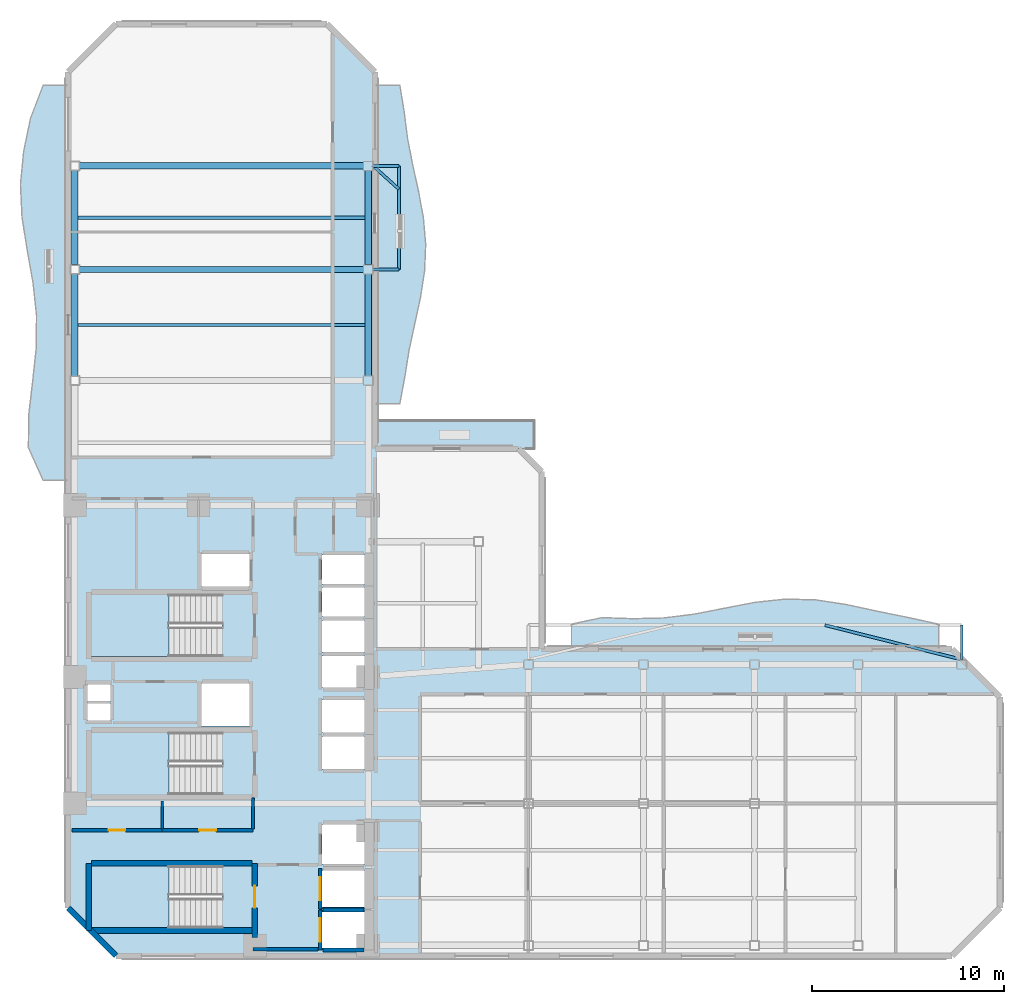
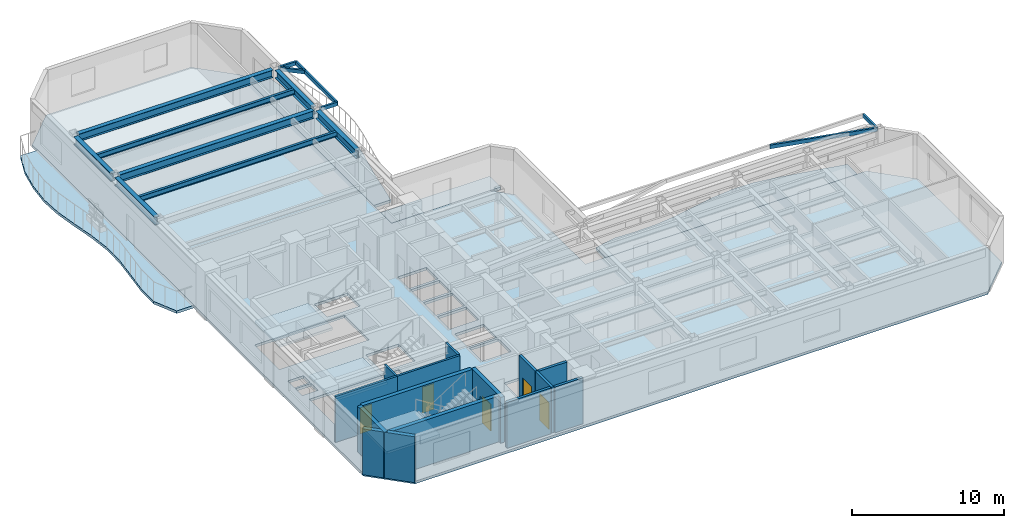
# One storey, part 2 of 12: 14 beams, 14 walls, 8 slabs, 5 doors, 5 openings, 3 elements without a shape of their own.
"""IFC4 building model written with IfcOpenShell, lengths in metres."""

from ifc_helpers import new_model, si_unit, direction, frame, frame_2d, origin, origin_2d, place, context, subcontext, project, spatial, polyline, rectangle, hollow_rectangle, i_section, outline, extrude, material, layer, layer_set, material_profile, profile_set, type_object, element, fill, aggregate, save


model = new_model("IFC4")

# Units and contexts
model_context = context("Model", 3, precision=1e-05, world=origin(), true_north=direction((0.0, 1.0)))
body_context = subcontext(model_context, "Body", "Model", "MODEL_VIEW")
ifc_project = project(units=[si_unit("LENGTHUNIT", "METRE"), si_unit("AREAUNIT", "SQUARE_METRE"), si_unit("VOLUMEUNIT", "CUBIC_METRE"), si_unit("PLANEANGLEUNIT", "RADIAN"), si_unit("MASSUNIT", "GRAM", prefix="KILO")], contexts=[model_context])

# Site, building, storey
site_placement = place(None, origin())
site = spatial("IfcSite", under=ifc_project, at=site_placement, CompositionType="ELEMENT")
building_placement = place(site_placement, origin())
building = spatial("IfcBuilding", under=site, at=building_placement, Name="Mawjaban Terraces University", CompositionType="ELEMENT")
storey_placement = place(building_placement, frame((0.0, 0.0, 134.60009765625)))
storey = spatial("IfcBuildingStorey", under=building, at=storey_placement, Name="L32", CompositionType="ELEMENT", Elevation=134.60009765625)

# Beams
ifc_material_1 = material(Name="Steel EN 10210-1 S355J2H", Category="steel")
ifc_material_profile_1 = material_profile(ifc_material_1, hollow_rectangle(XDim=0.14990234375, YDim=0.300048828125, WallThickness=0.012451171875, at=origin_2d()), Name="RHS300X150X12.5")
ifc_profile_set_1 = profile_set([ifc_material_profile_1], Name="Steel EN 10210-1 S355J2H")
beam_type_1 = type_object("IfcBeamType", Name="BalconyCantileverSpandrel_RHS", PredefinedType="SPANDREL", material=ifc_profile_set_1)
beam_1_placement = place(storey_placement, frame((68.60009765625, 15.449951171875, 3.539794921875), z_axis=(0.0, 1.0, 0.0), x_axis=(-1.0, 0.0, 0.0)))
element("IfcBeam", 1, at=beam_1_placement, inside=storey, type_object=beam_type_1, Name="L32 Exterior Outrigger BAL-L33-N.2", PredefinedType="SPANDREL", context=body_context, shape_type="SweptSolid", body=[
    extrude(hollow_rectangle(XDim=0.14990234375, YDim=0.300048828125, WallThickness=0.012451171875, at=origin_2d()), origin(), (0.0, 0.0, 1.0), 1.800048828125),
])
beam_2_placement = place(storey_placement, frame((68.60009765625, 15.449951171875, 3.539794921875), z_axis=(-0.96966082483, 0.244454259094, 0.0), x_axis=(-0.244454259094, -0.96966082483, 0.0)))
element("IfcBeam", 2, at=beam_2_placement, inside=storey, type_object=beam_type_1, Name="L32 Exterior Diagonal Strut BAL-L33-N.2", PredefinedType="SPANDREL", context=body_context, shape_type="SweptSolid", body=[
    extrude(hollow_rectangle(XDim=0.14990234375, YDim=0.300048828125, WallThickness=0.012451171875, at=origin_2d()), origin(), (0.0, 0.0, 1.0), 7.363525390625),
])
for number, where, z_axis, x_axis, name in (
    (3, (37.89990234375, 35.800048828125, 3.539794921875), (1.0, 0.0, 0.0), (0.0, 1.0, 0.0), "L32 Exterior Outrigger BAL-L33-E.1"),
    (4, (37.89990234375, 41.199951171875, 3.539794921875), (1.0, 0.0, 0.0), (0.0, 1.0, 0.0), "L32 Exterior Outrigger BAL-L33-E.2"),
):
    element("IfcBeam", number, at=place(storey_placement, frame(where, z_axis=z_axis, x_axis=x_axis)), inside=storey, type_object=beam_type_1, Name=name, PredefinedType="SPANDREL", context=body_context, shape_type="SweptSolid", body=[
        extrude(hollow_rectangle(XDim=0.14990234375, YDim=0.300048828125, WallThickness=0.012451171875, at=origin_2d()), origin(), (0.0, 0.0, 1.0), 1.35009765625),
    ])
beam_3_placement = place(storey_placement, frame((39.25, 35.800048828125, 3.539794921875), z_axis=(0.0, 1.0, 0.0), x_axis=(-1.0, 0.0, 0.0)))
element("IfcBeam", 5, at=beam_3_placement, inside=storey, type_object=beam_type_1, Name="L32 Exterior Edge Spandrel BAL-L33-E", PredefinedType="SPANDREL", context=body_context, shape_type="SweptSolid", body=[
    extrude(hollow_rectangle(XDim=0.14990234375, YDim=0.300048828125, WallThickness=0.012451171875, at=origin_2d()), origin(), (0.0, 0.0, 1.0), 5.39990234375),
])
beam_4_placement = place(storey_placement, frame((37.89990234375, 41.199951171875, 3.539794921875), z_axis=(0.743360982864, -0.668890461253, 0.0), x_axis=(0.668890461253, 0.743360982864, 0.0)))
element("IfcBeam", 6, at=beam_4_placement, inside=storey, type_object=beam_type_1, Name="L32 Exterior Diagonal Strut BAL-L33-E.2", PredefinedType="SPANDREL", context=body_context, shape_type="SweptSolid", body=[
    extrude(hollow_rectangle(XDim=0.14990234375, YDim=0.300048828125, WallThickness=0.012451171875, at=origin_2d()), origin(), (0.0, 0.0, 1.0), 1.816162109375),
])
ifc_material_2 = material(Name="Steel ASTM A572 Grade 50", Category="steel")
ifc_material_profile_2 = material_profile(ifc_material_2, i_section(OverallWidth=0.324951171875, OverallDepth=0.615966796875, WebThickness=0.013916015625, FlangeThickness=0.021484375, at=origin_2d()), Name="W610X174")
ifc_profile_set_2 = profile_set([ifc_material_profile_2], Name="Steel ASTM A572 Grade 50")
beam_type_2 = type_object("IfcBeamType", Name="Beam_B_W610X174", PredefinedType="BEAM", material=ifc_profile_set_2)
for number, where, z_axis, x_axis, name in (
    (7, (22.60009765625, 35.800048828125, 3.3818359375), (1.0, 0.0, 0.0), (0.0, 1.0, 0.0), "L32 Beam BM-L32-EW-15"),
    (8, (22.60009765625, 41.199951171875, 3.3818359375), (1.0, 0.0, 0.0), (0.0, 1.0, 0.0), "L32 Beam BM-L32-EW-16"),
):
    element("IfcBeam", number, at=place(storey_placement, frame(where, z_axis=z_axis, x_axis=x_axis)), inside=storey, type_object=beam_type_2, Name=name, PredefinedType="BEAM", context=body_context, shape_type="SweptSolid", body=[
        extrude(i_section(OverallWidth=0.324951171875, OverallDepth=0.615966796875, WebThickness=0.013916015625, FlangeThickness=0.021484375, at=origin_2d()), origin(), (0.0, 0.0, 1.0), 14.7998046875),
    ])
beam_5_placement = place(storey_placement, frame((22.35009765625, 30.25, 3.3818359375), z_axis=(0.0, 1.0, 0.0), x_axis=(-1.0, 0.0, 0.0)))
element("IfcBeam", 9, at=beam_5_placement, inside=storey, type_object=beam_type_2, Name="L32 Beam BM-L32-NS-04", PredefinedType="BEAM", context=body_context, shape_type="SweptSolid", body=[
    extrude(i_section(OverallWidth=0.324951171875, OverallDepth=0.615966796875, WebThickness=0.013916015625, FlangeThickness=0.021484375, at=origin_2d()), origin(), (0.0, 0.0, 1.0), 5.300048828125),
])
beam_6_placement = place(storey_placement, frame((22.35009765625, 36.050048828125, 3.3818359375), z_axis=(0.0, 1.0, 0.0), x_axis=(-1.0, 0.0, 0.0)))
element("IfcBeam", 10, at=beam_6_placement, inside=storey, type_object=beam_type_2, Name="L32 Beam BM-L32-NS-05", PredefinedType="BEAM", context=body_context, shape_type="SweptSolid", body=[
    extrude(i_section(OverallWidth=0.324951171875, OverallDepth=0.615966796875, WebThickness=0.013916015625, FlangeThickness=0.021484375, at=origin_2d()), origin(), (0.0, 0.0, 1.0), 4.89990234375),
])
beam_7_placement = place(storey_placement, frame((37.64990234375, 30.25, 3.3818359375), z_axis=(0.0, 1.0, 0.0), x_axis=(-1.0, 0.0, 0.0)))
element("IfcBeam", 11, at=beam_7_placement, inside=storey, type_object=beam_type_2, Name="L32 Beam BM-L32-NS-10", PredefinedType="BEAM", context=body_context, shape_type="SweptSolid", body=[
    extrude(i_section(OverallWidth=0.324951171875, OverallDepth=0.615966796875, WebThickness=0.013916015625, FlangeThickness=0.021484375, at=origin_2d()), origin(), (0.0, 0.0, 1.0), 5.300048828125),
])
beam_8_placement = place(storey_placement, frame((37.64990234375, 36.050048828125, 3.3818359375), z_axis=(0.0, 1.0, 0.0), x_axis=(-1.0, 0.0, 0.0)))
element("IfcBeam", 12, at=beam_8_placement, inside=storey, type_object=beam_type_2, Name="L32 Beam BM-L32-NS-11", PredefinedType="BEAM", context=body_context, shape_type="SweptSolid", body=[
    extrude(i_section(OverallWidth=0.324951171875, OverallDepth=0.615966796875, WebThickness=0.013916015625, FlangeThickness=0.021484375, at=origin_2d()), origin(), (0.0, 0.0, 1.0), 4.89990234375),
])
ifc_material_profile_3 = material_profile(ifc_material_2, i_section(OverallWidth=0.179931640625, OverallDepth=0.4130859375, WebThickness=0.009765625, FlangeThickness=0.01611328125, at=origin_2d()), Name="W410X74")
ifc_profile_set_3 = profile_set([ifc_material_profile_3], Name="Steel ASTM A572 Grade 50")
beam_type_3 = type_object("IfcBeamType", Name="Beam_J_W410X74", PredefinedType="JOIST", material=ifc_profile_set_3)
for number, where, z_axis, x_axis, name in (
    (13, (22.429931640625, 32.89990234375, 3.48291015625), (1.0, 0.0, 0.0), (0.0, 1.0, 0.0), "L32 Composite Joist JST-L32-19"),
    (14, (22.429931640625, 38.5, 3.48291015625), (1.0, 0.0, 0.0), (0.0, 1.0, 0.0), "L32 Composite Joist JST-L32-20"),
):
    element("IfcBeam", number, at=place(storey_placement, frame(where, z_axis=z_axis, x_axis=x_axis)), inside=storey, type_object=beam_type_3, Name=name, PredefinedType="JOIST", context=body_context, shape_type="SweptSolid", body=[
        extrude(i_section(OverallWidth=0.179931640625, OverallDepth=0.4130859375, WebThickness=0.009765625, FlangeThickness=0.01611328125, at=origin_2d()), origin(), (0.0, 0.0, 1.0), 15.14013671875),
    ])

# Slabs
ifc_material_3 = material(Name="Concrete C40/50", Category="concrete")
ifc_layer_1 = layer(ifc_material_3, 0.2099609375)
ifc_layer_set_1 = layer_set([ifc_layer_1], Name="Concrete C40/50")
slab_type_1 = type_object("IfcSlabType", Name="BalconySlab_210_Ext", PredefinedType="FLOOR", material=ifc_layer_set_1)
slab_1_placement = place(storey_placement, frame((0.0, 0.0, -0.210205078125)))
element("IfcSlab", 15, at=slab_1_placement, inside=storey, type_object=slab_type_1, Name="L32 Planted Balcony Slab west", PredefinedType="FLOOR", context=body_context, shape_type="SweptSolid", body=[
    extrude(outline(polyline([(22.010009765625, 24.800048828125), (22.010009765625, 45.39990234375), (20.699951171875, 45.39990234375), (20.0400390625, 43.68310546875), (19.681884765625, 41.967041015625), (19.514892578125, 40.25), (19.594970703125, 38.532958984375), (19.863037109375, 36.81689453125), (20.169921875, 35.10009765625), (20.35400390625, 33.383056640625), (20.33203125, 31.6669921875), (20.14794921875, 29.949951171875), (19.949951171875, 28.23291015625), (19.927978515625, 26.51708984375), (20.699951171875, 24.800048828125), (22.010009765625, 24.800048828125)])), origin(), (0.0, 0.0, 1.0), 0.210205078125),
])
slab_2_placement = place(storey_placement, frame((0.0, 0.0, -0.210205078125)))
element("IfcSlab", 16, at=slab_2_placement, inside=storey, type_object=slab_type_1, Name="L32 Planted Balcony Slab inner_north", PredefinedType="FLOOR", context=body_context, shape_type="SweptSolid", body=[
    extrude(outline(polyline([(48.2509765625, 15.989990234375), (67.39990234375, 15.989990234375), (67.39990234375, 17.300048828125), (65.803955078125, 17.64501953125), (64.208984375, 17.968994140625), (62.613037109375, 18.31591796875), (61.01708984375, 18.56201171875), (59.4208984375, 18.60693359375), (57.825927734375, 18.43701171875), (56.22998046875, 18.12890625), (54.634033203125, 17.81689453125), (53.0380859375, 17.6201171875), (51.44189453125, 17.5849609375), (49.846923828125, 17.64111328125), (48.2509765625, 17.300048828125), (48.2509765625, 15.989990234375)])), origin(), (0.0, 0.0, 1.0), 0.210205078125),
])
slab_3_placement = place(storey_placement, frame((0.0, 0.0, -0.210205078125)))
element("IfcSlab", 17, at=slab_3_placement, inside=storey, type_object=slab_type_1, Name="L32 Planted Balcony Slab inner_east", PredefinedType="FLOOR", context=body_context, shape_type="SweptSolid", body=[
    extrude(outline(polyline([(39.300048828125, 28.800048828125), (39.555908203125, 30.18310546875), (39.777099609375, 31.56689453125), (40.073974609375, 32.949951171875), (40.375, 34.3330078125), (40.589111328125, 35.717041015625), (40.64599609375, 37.10009765625), (40.528076171875, 38.48291015625), (40.27490234375, 39.866943359375), (39.968994140625, 41.25), (39.699951171875, 42.633056640625), (39.52490234375, 44.01708984375), (39.300048828125, 45.39990234375), (37.989990234375, 45.39990234375), (37.989990234375, 28.800048828125), (39.300048828125, 28.800048828125)])), origin(), (0.0, 0.0, 1.0), 0.210205078125),
])
ifc_layer_2 = layer(ifc_material_3, 0.2099609375)
ifc_layer_set_2 = layer_set([ifc_layer_2], Name="Concrete C40/50")
slab_type_2 = type_object("IfcSlabType", Name="CompositeSlab_210", PredefinedType="FLOOR", material=ifc_layer_set_2)
slab_4_placement = place(storey_placement, frame((0.0, 0.0, -0.210205078125)))
element("IfcSlab", 18, at=slab_4_placement, inside=storey, type_object=slab_type_2, Name="L32 Primary Structural Slab", PredefinedType="FLOOR", context=body_context, shape_type="SweptSolid", body=[
    extrude(outline(polyline([(24.5, 0.0), (68.10009765625, 0.0), (70.60009765625, 2.5), (70.60009765625, 13.5), (68.10009765625, 16.0), (46.698974609375, 16.0), (46.698974609375, 25.25), (45.4990234375, 26.449951171875), (38.0, 26.449951171875), (38.0, 46.10009765625), (35.5, 48.60009765625), (24.5, 48.60009765625), (22.0, 46.10009765625), (22.0, 2.5), (24.5, 0.0)]), holes=[polyline([(30.014892578125, 4.699951171875), (23.199951171875, 4.699951171875), (23.199951171875, 1.449951171875), (30.014892578125, 1.449951171875), (30.014892578125, 4.699951171875)]), polyline([(30.014892578125, 18.85009765625), (23.199951171875, 18.85009765625), (23.199951171875, 15.60009765625), (30.014892578125, 15.60009765625), (30.014892578125, 18.85009765625)]), polyline([(30.014892578125, 11.64990234375), (23.199951171875, 11.64990234375), (23.199951171875, 8.39990234375), (30.014892578125, 8.39990234375), (30.014892578125, 11.64990234375)]), polyline([(35.25, 0.39990234375), (37.449951171875, 0.39990234375), (37.449951171875, 2.300048828125), (35.25, 2.300048828125), (35.25, 0.39990234375)]), polyline([(35.25, 2.550048828125), (37.449951171875, 2.550048828125), (37.449951171875, 4.449951171875), (35.25, 4.449951171875), (35.25, 2.550048828125)]), polyline([(35.25, 4.800048828125), (37.449951171875, 4.800048828125), (37.449951171875, 6.85009765625), (35.25, 6.85009765625), (35.25, 4.800048828125)]), polyline([(35.25, 9.75), (37.449951171875, 9.75), (37.449951171875, 11.449951171875), (35.25, 11.449951171875), (35.25, 9.75)]), polyline([(35.25, 11.64990234375), (37.449951171875, 11.64990234375), (37.449951171875, 13.35009765625), (35.25, 13.35009765625), (35.25, 11.64990234375)]), polyline([(28.949951171875, 12.0), (31.449951171875, 12.0), (31.449951171875, 14.199951171875), (28.949951171875, 14.199951171875), (28.949951171875, 12.0)]), polyline([(35.25, 14.0), (37.449951171875, 14.0), (37.449951171875, 15.64990234375), (35.25, 15.64990234375), (35.25, 14.0)]), polyline([(35.25, 15.85009765625), (37.449951171875, 15.85009765625), (37.449951171875, 17.5), (35.25, 17.5), (35.25, 15.85009765625)]), polyline([(35.25, 17.699951171875), (37.449951171875, 17.699951171875), (37.449951171875, 19.199951171875), (35.25, 19.199951171875), (35.25, 17.699951171875)]), polyline([(35.25, 19.39990234375), (37.449951171875, 19.39990234375), (37.449951171875, 20.89990234375), (35.25, 20.89990234375), (35.25, 19.39990234375)]), polyline([(28.949951171875, 19.25), (31.449951171875, 19.25), (31.449951171875, 20.949951171875), (28.949951171875, 20.949951171875), (28.949951171875, 19.25)]), polyline([(23.0, 12.25), (24.199951171875, 12.25), (24.199951171875, 13.14990234375), (23.0, 13.14990234375), (23.0, 12.25)]), polyline([(23.0, 13.300048828125), (24.199951171875, 13.300048828125), (24.199951171875, 14.179931640625), (23.0, 14.179931640625), (23.0, 13.300048828125)])]), origin(), (0.0, 0.0, 1.0), 0.210205078125),
])

# Stair, slab
stair_type = type_object("IfcStairType", Name="Stair_Core1550_H39", PredefinedType="HALF_TURN_STAIR", material=ifc_material_3)
stair_1_placement = place(storey_placement, origin())
stair_1 = element("IfcStair", 19, at=stair_1_placement, inside=storey, type_object=stair_type, Name="L32 Core Exit Stair 1", PredefinedType="HALF_TURN_STAIR")
ifc_layer_3 = layer(ifc_material_3, 0.199951171875)
ifc_layer_set_3 = layer_set([ifc_layer_3], Name="Concrete C40/50")
slab_type_3 = type_object("IfcSlabType", Name="StairLandingSlab_200", PredefinedType="LANDING", material=ifc_layer_set_3)
slab_5_placement = place(storey_placement, frame((0.0, 0.0, 1.75)))
slab_5 = element("IfcSlab", 20, at=slab_5_placement, type_object=slab_type_3, Name="ST-1 landing 1", PredefinedType="LANDING", context=body_context, shape_type="SweptSolid", body=[
    extrude(outline(polyline([(27.25, 4.699951171875), (23.199951171875, 4.699951171875), (23.199951171875, 1.449951171875), (27.25, 1.449951171875), (27.25, 4.699951171875)])), origin(), (0.0, 0.0, 1.0), 0.199951171875),
])
aggregate(stair_1, [slab_5])

stair_2_placement = place(storey_placement, origin())
stair_2 = element("IfcStair", 21, at=stair_2_placement, inside=storey, type_object=stair_type, Name="L32 Core Exit Stair 2", PredefinedType="HALF_TURN_STAIR")
slab_6_placement = place(storey_placement, frame((0.0, 0.0, 1.75)))
slab_6 = element("IfcSlab", 22, at=slab_6_placement, type_object=slab_type_3, Name="ST-2 landing 1", PredefinedType="LANDING", context=body_context, shape_type="SweptSolid", body=[
    extrude(outline(polyline([(27.25, 18.85009765625), (23.199951171875, 18.85009765625), (23.199951171875, 15.60009765625), (27.25, 15.60009765625), (27.25, 18.85009765625)])), origin(), (0.0, 0.0, 1.0), 0.199951171875),
])
aggregate(stair_2, [slab_6])

stair_3_placement = place(storey_placement, origin())
stair_3 = element("IfcStair", 23, at=stair_3_placement, inside=storey, type_object=stair_type, Name="L32 Core Exit Stair 3", PredefinedType="HALF_TURN_STAIR")
slab_7_placement = place(storey_placement, frame((0.0, 0.0, 1.75)))
slab_7 = element("IfcSlab", 24, at=slab_7_placement, type_object=slab_type_3, Name="ST-3 landing 1", PredefinedType="LANDING", context=body_context, shape_type="SweptSolid", body=[
    extrude(outline(polyline([(27.25, 11.64990234375), (23.199951171875, 11.64990234375), (23.199951171875, 8.39990234375), (27.25, 8.39990234375), (27.25, 11.64990234375)])), origin(), (0.0, 0.0, 1.0), 0.199951171875),
])
aggregate(stair_3, [slab_7])

# Slab
ifc_layer_4 = layer(ifc_material_3, 0.2099609375)
ifc_layer_set_4 = layer_set([ifc_layer_4], Name="Concrete C40/50")
slab_type_4 = type_object("IfcSlabType", Name="StudyTerraceSlab_210_Ext", PredefinedType="FLOOR", material=ifc_layer_set_4)
slab_8_placement = place(storey_placement, frame((0.0, 0.0, -0.210205078125)))
element("IfcSlab", 25, at=slab_8_placement, inside=storey, type_object=slab_type_4, Name="L32 Exterior Study Terrace Slab", PredefinedType="FLOOR", context=body_context, shape_type="SweptSolid", body=[
    extrude(outline(polyline([(38.0, 26.449951171875), (46.299072265625, 26.449951171875), (46.299072265625, 27.89990234375), (38.0, 27.89990234375), (38.0, 26.449951171875)])), origin(), (0.0, 0.0, 1.0), 0.210205078125),
])

# Wall, opening, door
ifc_material_4 = material(Name="Fire-rated gypsum board on steel stud", Category="steel")
ifc_layer_5 = layer(ifc_material_4, 0.159912109375)
ifc_layer_set_5 = layer_set([ifc_layer_5], Name="Fire-rated gypsum board on steel stud")
wall_type_1 = type_object("IfcWallType", Name="CorridorPartition_160", PredefinedType="PARTITIONING", material=ifc_layer_set_5)
wall_1_placement = place(storey_placement, frame((26.89990234375, 6.550048828125, 0.0), z_axis=(0.0, 0.0, 1.0), x_axis=(-1.0, 0.0, 0.0)))
wall_1 = element("IfcWall", 26, at=wall_1_placement, inside=storey, type_object=wall_type_1, Name="L32 Core Washroom Lobby Partition 4", PredefinedType="PARTITIONING", context=body_context, shape_type="SweptSolid", body=[
    extrude(rectangle(XDim=4.699951171875, YDim=0.159912109375, at=frame_2d((2.35009765625, 0.0))), origin(), (0.0, 0.0, 1.0), 3.68994140625),
])
opening_1_placement = place(wall_1_placement, frame((1.909912109375, 0.0, 0.0)))
opening_1 = element("IfcOpeningElement", 27, at=opening_1_placement, cuts=wall_1, Name="Opening ID-088", PredefinedType="OPENING", context=body_context, shape_type="SweptSolid", body=[
    extrude(rectangle(XDim=0.8798828125, YDim=2.10009765625, at=frame_2d((0.43994140625, 1.050048828125))), frame((0.0, 0.08984375, 0.0), z_axis=(0.0, -1.0, 0.0), x_axis=(1.0, 0.0, 0.0)), (0.0, 0.0, 1.0), 0.179931640625),
])
ifc_material_5 = material(Name="Powder-coated steel frame and solid acoustic timber leaf", Category="steel")
door_type_1 = type_object("IfcDoorType", Name="ToiletDoor_880x2100", OperationType="NOTDEFINED", PredefinedType="DOOR", material=ifc_material_5)
door_1_placement = place(opening_1_placement, origin())
door_1 = element("IfcDoor", 28, at=door_1_placement, inside=storey, type_object=door_type_1, Name="L32 Male Toilet Door", OperationType="SINGLE_SWING_RIGHT", OverallHeight=2.10009765625, OverallWidth=0.8798828125, PredefinedType="DOOR", context=body_context, shape_type="SweptSolid", body=[
    extrude(rectangle(XDim=0.8798828125, YDim=2.10009765625, at=frame_2d((0.43994140625, 1.050048828125))), frame((0.0, 0.02490234375, 0.0), z_axis=(0.0, -1.0, 0.0), x_axis=(1.0, 0.0, 0.0)), (0.0, 0.0, 1.0), 0.050048828125),
])
fill(opening_1, door_1)

wall_2_placement = place(storey_placement, frame((31.64990234375, 6.550048828125, 0.0), z_axis=(0.0, 0.0, 1.0), x_axis=(-1.0, 0.0, 0.0)))
wall_2 = element("IfcWall", 29, at=wall_2_placement, inside=storey, type_object=wall_type_1, Name="L32 Core Washroom Lobby Partition 7", PredefinedType="PARTITIONING", context=body_context, shape_type="SweptSolid", body=[
    extrude(rectangle(XDim=4.75, YDim=0.159912109375, at=frame_2d((2.375, 0.0))), origin(), (0.0, 0.0, 1.0), 3.68994140625),
])
opening_2_placement = place(wall_2_placement, frame((1.93505859375, 0.0, 0.0)))
opening_2 = element("IfcOpeningElement", 30, at=opening_2_placement, cuts=wall_2, Name="Opening ID-088", PredefinedType="OPENING", context=body_context, shape_type="SweptSolid", body=[
    extrude(rectangle(XDim=0.8798828125, YDim=2.10009765625, at=frame_2d((0.43994140625, 1.050048828125))), frame((0.0, 0.08984375, 0.0), z_axis=(0.0, -1.0, 0.0), x_axis=(1.0, 0.0, 0.0)), (0.0, 0.0, 1.0), 0.179931640625),
])
door_2_placement = place(opening_2_placement, origin())
door_2 = element("IfcDoor", 31, at=door_2_placement, inside=storey, type_object=door_type_1, Name="L32 Accessible Toilet Door", OperationType="SINGLE_SWING_LEFT", OverallHeight=2.10009765625, OverallWidth=0.8798828125, PredefinedType="DOOR", context=body_context, shape_type="SweptSolid", body=[
    extrude(rectangle(XDim=0.8798828125, YDim=2.10009765625, at=frame_2d((0.43994140625, 1.050048828125))), frame((0.0, 0.02490234375, 0.0), z_axis=(0.0, -1.0, 0.0), x_axis=(1.0, 0.0, 0.0)), (0.0, 0.0, 1.0), 0.050048828125),
])
fill(opening_2, door_2)

# Walls
wall_3_placement = place(storey_placement, frame((31.64990234375, 8.239990234375, 0.0), z_axis=(0.0, 0.0, 1.0), x_axis=(0.0, -1.0, 0.0)))
element("IfcWall", 32, at=wall_3_placement, inside=storey, type_object=wall_type_1, Name="L32 Passenger Lift Lobby Partition 32", PredefinedType="PARTITIONING", context=body_context, shape_type="SweptSolid", body=[
    extrude(rectangle(XDim=1.614990234375, YDim=0.159912109375, at=frame_2d((0.8076171875, 0.0))), origin(), (0.0, 0.0, 1.0), 3.68994140625),
])
ifc_material_6 = material(Name="Insulated terracotta rainscreen on concrete backup C40/50", Category="masonry")
ifc_layer_6 = layer(ifc_material_6, 0.300048828125)
ifc_layer_set_6 = layer_set([ifc_layer_6], Name="Insulated terracotta rainscreen on concrete backup C40/50")
wall_type_2 = type_object("IfcWallType", Name="ExtTerracottaWall_300", PredefinedType="SOLIDWALL", material=ifc_layer_set_6)
wall_4_placement = place(storey_placement, frame((22.0, 2.5, 0.0), z_axis=(0.0, 0.0, 1.0), x_axis=(0.707106781187, -0.707106781187, 0.0)))
element("IfcWall", 33, at=wall_4_placement, inside=storey, type_object=wall_type_2, Name="L32 Exterior Terracotta Wall 14", PredefinedType="SOLIDWALL", context=body_context, shape_type="SweptSolid", body=[
    extrude(rectangle(XDim=3.53564453125, YDim=0.300048828125, at=frame_2d((1.767822265625, 0.0))), origin(), (0.0, 0.0, 1.0), 3.68994140625),
])

# Wall, opening, door
ifc_layer_7 = layer(ifc_material_3, 0.199951171875)
ifc_layer_set_7 = layer_set([ifc_layer_7], Name="Concrete C40/50")
wall_type_3 = type_object("IfcWallType", Name="FireLobbyWall_200", PredefinedType="SOLIDWALL", material=ifc_layer_set_7)
wall_5_placement = place(storey_placement, frame((35.14990234375, 2.39990234375, 0.0), z_axis=(0.0, 0.0, 1.0), x_axis=(0.0, -1.0, 0.0)))
wall_5 = element("IfcWall", 34, at=wall_5_placement, inside=storey, type_object=wall_type_3, Name="L32 Lift FL-1 Hoistway Wall West", PredefinedType="SOLIDWALL", context=body_context, shape_type="SweptSolid", body=[
    extrude(rectangle(XDim=2.099853515625, YDim=0.199951171875, at=frame_2d((1.0498046875, 0.0))), origin(), (0.0, 0.0, 1.0), 3.68994140625),
])
opening_3_placement = place(wall_5_placement, frame((0.449951171875, 0.0, 0.0)))
opening_3 = element("IfcOpeningElement", 35, at=opening_3_placement, cuts=wall_5, Name="Opening LD-FL-1", PredefinedType="OPENING", context=body_context, shape_type="SweptSolid", body=[
    extrude(rectangle(XDim=1.199951171875, YDim=2.14990234375, at=frame_2d((0.60009765625, 1.074951171875))), frame((0.0, 0.10986328125, 0.0), z_axis=(0.0, -1.0, 0.0), x_axis=(1.0, 0.0, 0.0)), (0.0, 0.0, 1.0), 0.219970703125),
])
ifc_material_7 = material(Name="Powder-coated steel frame and fire-rated steel-faced leaf", Category="steel")
door_type_2 = type_object("IfcDoorType", Name="LiftLandingFSAE_1200x2150", OperationType="NOTDEFINED", PredefinedType="DOOR", material=ifc_material_7)
door_3_placement = place(opening_3_placement, origin())
door_3 = element("IfcDoor", 36, at=door_3_placement, inside=storey, type_object=door_type_2, Name="L32 Lift FL-1 Sliding Landing Door", OperationType="DOUBLE_DOOR_SLIDING", OverallHeight=2.14990234375, OverallWidth=1.199951171875, PredefinedType="DOOR", context=body_context, shape_type="SweptSolid", body=[
    extrude(rectangle(XDim=1.199951171875, YDim=2.14990234375, at=frame_2d((0.60009765625, 1.074951171875))), frame((0.0, 0.02490234375, 0.0), z_axis=(0.0, -1.0, 0.0), x_axis=(1.0, 0.0, 0.0)), (0.0, 0.0, 1.0), 0.050048828125),
])
fill(opening_3, door_3)

# Walls
for number, where, z_axis, x_axis, name in (
    (37, (35.280029296875, 0.300048828125, 0.0), (0.0, 0.0, 1.0), (1.0, 0.0, 0.0), "L32 Lift FL-1 Hoistway Wall South"),
    (38, (37.419921875, 2.39990234375, 0.0), (0.0, 0.0, 1.0), (-1.0, 0.0, 0.0), "L32 Lift FL-1 Hoistway Wall North"),
):
    element("IfcWall", number, at=place(storey_placement, frame(where, z_axis=z_axis, x_axis=x_axis)), inside=storey, type_object=wall_type_3, Name=name, PredefinedType="SOLIDWALL", context=body_context, shape_type="SweptSolid", body=[
        extrude(rectangle(XDim=2.139892578125, YDim=0.199951171875, at=frame_2d((1.06982421875, 0.0))), origin(), (0.0, 0.0, 1.0), 3.68994140625),
    ])

# Wall, opening, door
wall_6_placement = place(storey_placement, frame((35.14990234375, 4.550048828125, 0.0), z_axis=(0.0, 0.0, 1.0), x_axis=(0.0, -1.0, 0.0)))
wall_6 = element("IfcWall", 39, at=wall_6_placement, inside=storey, type_object=wall_type_3, Name="L32 Lift FL-2 Hoistway Wall West", PredefinedType="SOLIDWALL", context=body_context, shape_type="SweptSolid", body=[
    extrude(rectangle(XDim=2.10009765625, YDim=0.199951171875, at=frame_2d((1.050048828125, 0.0))), origin(), (0.0, 0.0, 1.0), 3.68994140625),
])
opening_4_placement = place(wall_6_placement, frame((0.449951171875, 0.0, 0.0)))
opening_4 = element("IfcOpeningElement", 40, at=opening_4_placement, cuts=wall_6, Name="Opening LD-FL-2", PredefinedType="OPENING", context=body_context, shape_type="SweptSolid", body=[
    extrude(rectangle(XDim=1.199951171875, YDim=2.14990234375, at=frame_2d((0.60009765625, 1.074951171875))), frame((0.0, 0.10986328125, 0.0), z_axis=(0.0, -1.0, 0.0), x_axis=(1.0, 0.0, 0.0)), (0.0, 0.0, 1.0), 0.219970703125),
])
door_4_placement = place(opening_4_placement, origin())
door_4 = element("IfcDoor", 41, at=door_4_placement, inside=storey, type_object=door_type_2, Name="L32 Lift FL-2 Sliding Landing Door", OperationType="DOUBLE_DOOR_SLIDING", OverallHeight=2.14990234375, OverallWidth=1.199951171875, PredefinedType="DOOR", context=body_context, shape_type="SweptSolid", body=[
    extrude(rectangle(XDim=1.199951171875, YDim=2.14990234375, at=frame_2d((0.60009765625, 1.074951171875))), frame((0.0, 0.02490234375, 0.0), z_axis=(0.0, -1.0, 0.0), x_axis=(1.0, 0.0, 0.0)), (0.0, 0.0, 1.0), 0.050048828125),
])
fill(opening_4, door_4)

# Walls
wall_7_placement = place(storey_placement, frame((31.64990234375, 0.35009765625, 0.0), z_axis=(0.0, 0.0, 1.0), x_axis=(1.0, 0.0, 0.0)))
element("IfcWall", 42, at=wall_7_placement, inside=storey, type_object=wall_type_3, Name="L32 Firefighting Lift Lobby Partition 6", PredefinedType="SOLIDWALL", context=body_context, shape_type="SweptSolid", body=[
    extrude(rectangle(XDim=3.3701171875, YDim=0.199951171875, at=frame_2d((1.68505859375, 0.0))), origin(), (0.0, 0.0, 1.0), 3.68994140625),
])
ifc_material_8 = material(Name="Concrete C60/75", Category="concrete")
ifc_layer_8 = layer(ifc_material_8, 0.300048828125)
ifc_layer_set_8 = layer_set([ifc_layer_8], Name="Concrete C60/75")
wall_type_4 = type_object("IfcWallType", Name="StairShaftWall_300", PredefinedType="SHEAR", material=ifc_layer_set_8)
wall_8_placement = place(storey_placement, frame((31.580078125, 4.830078125, 0.0), z_axis=(0.0, 0.0, 1.0), x_axis=(-1.0, 0.0, 0.0)))
element("IfcWall", 43, at=wall_8_placement, inside=storey, type_object=wall_type_4, Name="L32 ST-1 Stair Shaft Wall 1", PredefinedType="SHEAR", context=body_context, shape_type="SweptSolid", body=[
    extrude(rectangle(XDim=8.360107421875, YDim=0.300048828125, at=frame_2d((4.18017578125, 0.0))), origin(), (0.0, 0.0, 1.0), 3.68994140625),
])
wall_9_placement = place(storey_placement, frame((23.070068359375, 4.830078125, 0.0), z_axis=(0.0, 0.0, 1.0), x_axis=(0.0, -1.0, 0.0)))
element("IfcWall", 44, at=wall_9_placement, inside=storey, type_object=wall_type_4, Name="L32 ST-1 Stair Shaft Wall 2", PredefinedType="SHEAR", context=body_context, shape_type="SweptSolid", body=[
    extrude(rectangle(XDim=3.510009765625, YDim=0.300048828125, at=frame_2d((1.7548828125, 0.0))), origin(), (0.0, 0.0, 1.0), 3.68994140625),
])
wall_10_placement = place(storey_placement, frame((23.219970703125, 1.320068359375, 0.0), z_axis=(0.0, 0.0, 1.0), x_axis=(1.0, 0.0, 0.0)))
element("IfcWall", 45, at=wall_10_placement, inside=storey, type_object=wall_type_4, Name="L32 ST-1 Stair Shaft Wall 3", PredefinedType="SHEAR", context=body_context, shape_type="SweptSolid", body=[
    extrude(rectangle(XDim=8.360107421875, YDim=0.300048828125, at=frame_2d((4.18017578125, 0.0))), origin(), (0.0, 0.0, 1.0), 3.68994140625),
])

# Wall, opening, door
wall_11_placement = place(storey_placement, frame((31.72998046875, 0.9599609375, 0.0), z_axis=(0.0, 0.0, 1.0), x_axis=(0.0, 1.0, 0.0)))
wall_11 = element("IfcWall", 46, at=wall_11_placement, inside=storey, type_object=wall_type_4, Name="L32 ST-1 Stair Shaft Wall 4", PredefinedType="SHEAR", context=body_context, shape_type="SweptSolid", body=[
    extrude(rectangle(XDim=3.8701171875, YDim=0.300048828125, at=frame_2d((1.93505859375, 0.0))), origin(), (0.0, 0.0, 1.0), 3.68994140625),
])
opening_5_placement = place(wall_11_placement, frame((1.5400390625, 0.0, 0.0)))
opening_5 = element("IfcOpeningElement", 47, at=opening_5_placement, cuts=wall_11, Name="Opening FD-115", PredefinedType="OPENING", context=body_context, shape_type="SweptSolid", body=[
    extrude(rectangle(XDim=1.14990234375, YDim=2.14990234375, at=frame_2d((0.574951171875, 1.074951171875))), frame((0.0, 0.159912109375, 0.0), z_axis=(0.0, -1.0, 0.0), x_axis=(1.0, 0.0, 0.0)), (0.0, 0.0, 1.0), 0.320068359375),
])
door_type_3 = type_object("IfcDoorType", Name="FireStairDoor_1150x2150", OperationType="NOTDEFINED", PredefinedType="DOOR", material=ifc_material_7)
door_5_placement = place(opening_5_placement, origin())
door_5 = element("IfcDoor", 48, at=door_5_placement, inside=storey, type_object=door_type_3, Name="L32 ST-1 Pressurised Stair Fire Door", OperationType="SINGLE_SWING_LEFT", OverallHeight=2.14990234375, OverallWidth=1.14990234375, PredefinedType="DOOR", context=body_context, shape_type="SweptSolid", body=[
    extrude(rectangle(XDim=1.14990234375, YDim=2.14990234375, at=frame_2d((0.574951171875, 1.074951171875))), frame((0.0, 0.02490234375, 0.0), z_axis=(0.0, -1.0, 0.0), x_axis=(1.0, 0.0, 0.0)), (0.0, 0.0, 1.0), 0.050048828125),
])
fill(opening_5, door_5)

# Wall
ifc_material_9 = material(Name="Cement-board wet-room partition", Category="masonry")
ifc_layer_9 = layer(ifc_material_9, 0.135009765625)
ifc_layer_set_9 = layer_set([ifc_layer_9], Name="Cement-board wet-room partition")
wall_type_5 = type_object("IfcWallType", Name="WetRoomPartition_135", PredefinedType="PARTITIONING", material=ifc_layer_set_9)
wall_12_placement = place(storey_placement, frame((26.89990234375, 6.625, 0.0), z_axis=(0.0, 0.0, 1.0), x_axis=(0.0, 1.0, 0.0)))
element("IfcWall", 49, at=wall_12_placement, inside=storey, type_object=wall_type_5, Name="L32 Male Toilet Partition 30", PredefinedType="PARTITIONING", context=body_context, shape_type="SweptSolid", body=[
    extrude(rectangle(XDim=1.465087890625, YDim=0.135009765625, at=frame_2d((0.732421875, 0.0))), origin(), (0.0, 0.0, 1.0), 3.68994140625),
])

save(model, "model.ifc")
